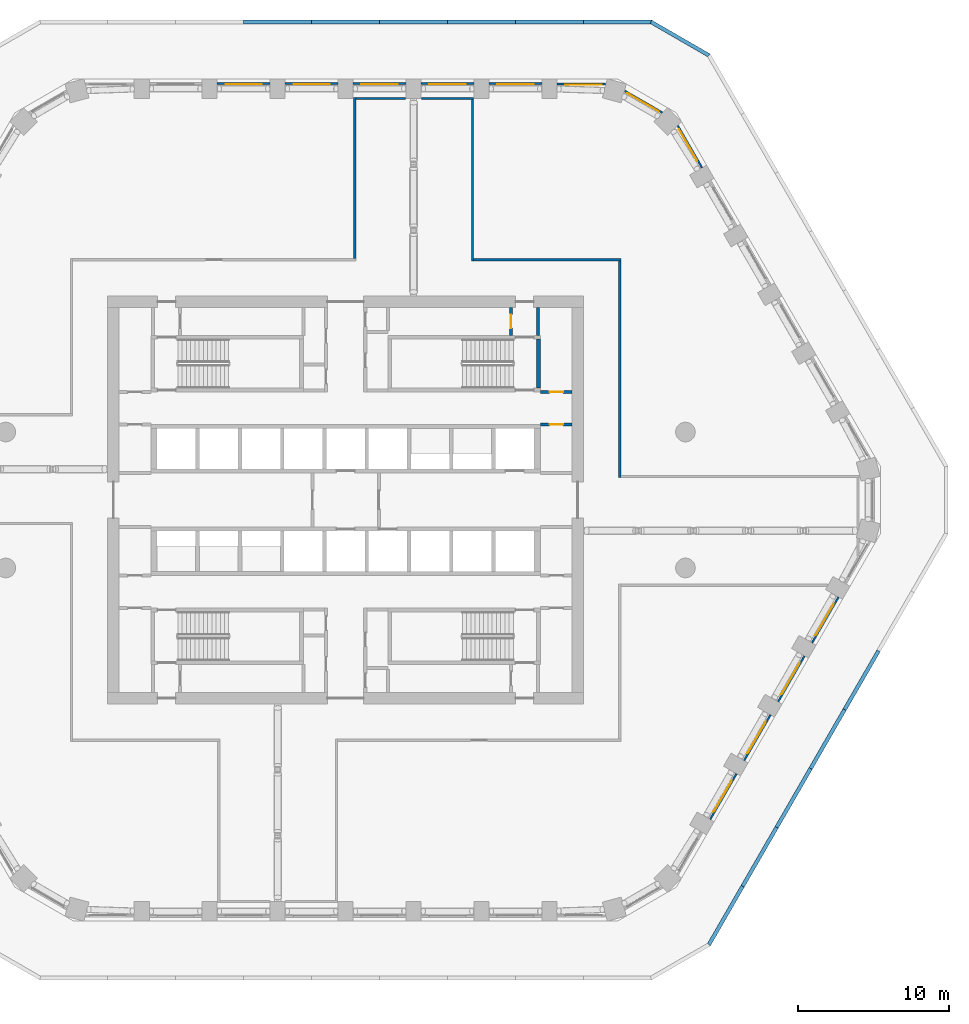
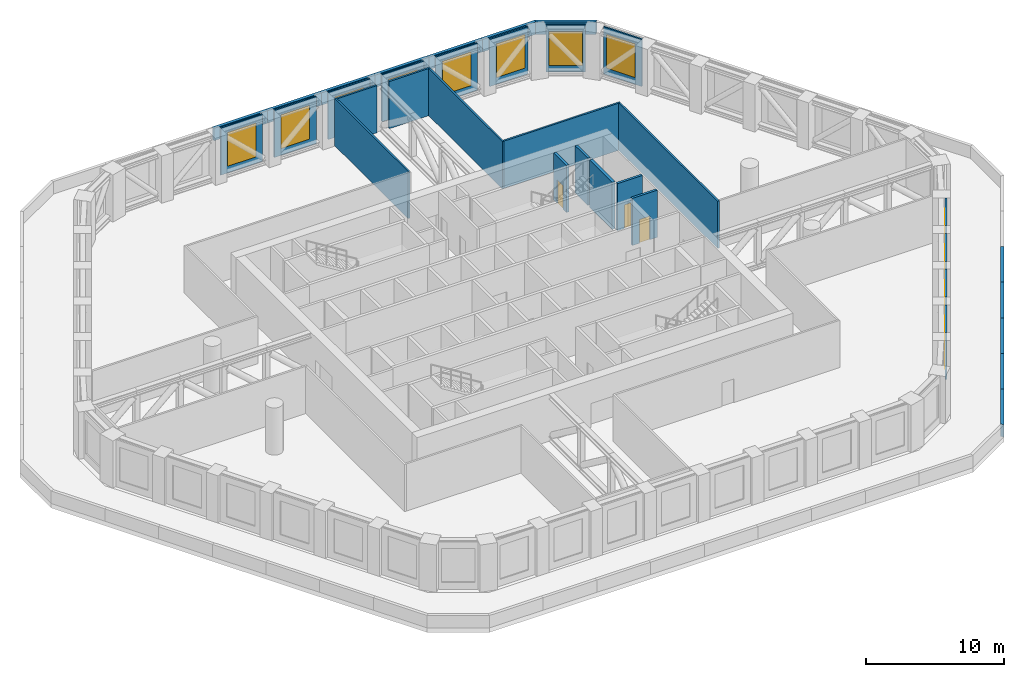
# One storey, part 10 of 18: 35 walls, 12 windows, 3 doors, 15 openings.
"""IFC4 building model written with IfcOpenShell, lengths in metres."""

from ifc_helpers import new_model, si_unit, direction, frame, frame_2d, origin, place, context, subcontext, project, spatial, polyline, rectangle, outline, extrude, material, layer, layer_set, type_object, element, fill, save


model = new_model("IFC4")

# Units and contexts
model_context = context("Model", 3, precision=1e-05, world=origin(), true_north=direction((0.0, 1.0)))
body_context = subcontext(model_context, "Body", "Model", "MODEL_VIEW")
ifc_project = project(units=[si_unit("LENGTHUNIT", "METRE"), si_unit("AREAUNIT", "SQUARE_METRE"), si_unit("VOLUMEUNIT", "CUBIC_METRE"), si_unit("PLANEANGLEUNIT", "RADIAN"), si_unit("MASSUNIT", "GRAM", prefix="KILO")], contexts=[model_context])

# Site, building, storey
site_placement = place(None, origin())
site = spatial("IfcSite", under=ifc_project, at=site_placement, CompositionType="ELEMENT")
building_placement = place(site_placement, origin())
building = spatial("IfcBuilding", under=site, at=building_placement, Name="Dhurran Vertical Campus", CompositionType="ELEMENT")
storey_placement = place(building_placement, frame((0.0, 0.0, 128.10009765625)))
storey = spatial("IfcBuildingStorey", under=building, at=storey_placement, Name="L31 Plant", CompositionType="ELEMENT", Elevation=128.10009765625)

# Wall, opening, window
ifc_material_1 = material(Name="Precast concrete C50/60", Category="concrete")
ifc_layer_1 = layer(ifc_material_1, 0.1201171875)
ifc_layer_set_1 = layer_set([ifc_layer_1], Name="Precast concrete C50/60")
wall_type_1 = type_object("IfcWallType", Name="Precast louvre-bay panel 120", PredefinedType="SOLIDWALL", material=ifc_layer_set_1)
wall_1_placement = place(storey_placement, frame((24.13330078125, -21.149658203125, 0.0), z_axis=(0.0, 0.0, 1.0), x_axis=(0.499996256241, 0.866027565234, 0.0)))
wall_1 = element("IfcWall", 1, at=wall_1_placement, inside=storey, type_object=wall_type_1, Name="EW4 L31.10", PredefinedType="SOLIDWALL", context=body_context, shape_type="SweptSolid", body=[
    extrude(rectangle(XDim=3.4990234375, YDim=0.1201171875, at=frame_2d((1.74951171875, 0.0))), origin(), (0.0, 0.0, 1.0), 4.1748046875),
])
opening_1_placement = place(wall_1_placement, frame((0.549560546875, 0.0, 0.60009765625)))
opening_1 = element("IfcOpeningElement", 2, at=opening_1_placement, cuts=wall_1, Name="Opening WT4", PredefinedType="OPENING", context=body_context, shape_type="SweptSolid", body=[
    extrude(rectangle(XDim=2.39990234375, YDim=3.0, at=frame_2d((1.199951171875, 1.5))), frame((0.0, 0.070068359375, 0.0), z_axis=(0.0, -1.0, 0.0), x_axis=(1.0, 0.0, 0.0)), (0.0, 0.0, 1.0), 0.14013671875),
])
ifc_material_2 = material(Name="Aluminium louvre", Category="aluminium")
window_type = type_object("IfcWindowType", Name="Louvred plant vent 2400 x 3000", PartitioningType="SINGLE_PANEL", PredefinedType="WINDOW", material=ifc_material_2)
window_1_placement = place(opening_1_placement, origin())
window_1 = element("IfcWindow", 3, at=window_1_placement, inside=storey, type_object=window_type, Name="WT4 L31.10", OverallHeight=3.0, OverallWidth=2.39990234375, PartitioningType="SINGLE_PANEL", PredefinedType="WINDOW", context=body_context, shape_type="SweptSolid", body=[
    extrude(rectangle(XDim=2.39990234375, YDim=3.0, at=frame_2d((1.199951171875, 1.5))), frame((0.0, 0.06005859375, 0.0), z_axis=(0.0, -1.0, 0.0), x_axis=(1.0, 0.0, 0.0)), (0.0, 0.0, 1.0), 0.02001953125),
])
fill(opening_1, window_1)

wall_2_placement = place(storey_placement, frame((26.38330078125, -17.252685546875, 0.0), z_axis=(0.0, 0.0, 1.0), x_axis=(0.499996256241, 0.866027565234, 0.0)))
wall_2 = element("IfcWall", 4, at=wall_2_placement, inside=storey, type_object=wall_type_1, Name="EW4 L31.11", PredefinedType="SOLIDWALL", context=body_context, shape_type="SweptSolid", body=[
    extrude(rectangle(XDim=3.4990234375, YDim=0.1201171875, at=frame_2d((1.74951171875, 0.0))), origin(), (0.0, 0.0, 1.0), 4.1748046875),
])
opening_2_placement = place(wall_2_placement, frame((0.549560546875, 0.0, 0.60009765625)))
opening_2 = element("IfcOpeningElement", 5, at=opening_2_placement, cuts=wall_2, Name="Opening WT4", PredefinedType="OPENING", context=body_context, shape_type="SweptSolid", body=[
    extrude(rectangle(XDim=2.39990234375, YDim=3.0, at=frame_2d((1.199951171875, 1.5))), frame((0.0, 0.070068359375, 0.0), z_axis=(0.0, -1.0, 0.0), x_axis=(1.0, 0.0, 0.0)), (0.0, 0.0, 1.0), 0.14013671875),
])
window_2_placement = place(opening_2_placement, origin())
window_2 = element("IfcWindow", 6, at=window_2_placement, inside=storey, type_object=window_type, Name="WT4 L31.11", OverallHeight=3.0, OverallWidth=2.39990234375, PartitioningType="SINGLE_PANEL", PredefinedType="WINDOW", context=body_context, shape_type="SweptSolid", body=[
    extrude(rectangle(XDim=2.39990234375, YDim=3.0, at=frame_2d((1.199951171875, 1.5))), frame((0.0, 0.06005859375, 0.0), z_axis=(0.0, -1.0, 0.0), x_axis=(1.0, 0.0, 0.0)), (0.0, 0.0, 1.0), 0.02001953125),
])
fill(opening_2, window_2)

wall_3_placement = place(storey_placement, frame((28.63330078125, -13.35546875, 0.0), z_axis=(0.0, 0.0, 1.0), x_axis=(0.499996256241, 0.866027565234, 0.0)))
wall_3 = element("IfcWall", 7, at=wall_3_placement, inside=storey, type_object=wall_type_1, Name="EW4 L31.12", PredefinedType="SOLIDWALL", context=body_context, shape_type="SweptSolid", body=[
    extrude(rectangle(XDim=3.4990234375, YDim=0.1201171875, at=frame_2d((1.74951171875, 0.0))), origin(), (0.0, 0.0, 1.0), 4.1748046875),
])
opening_3_placement = place(wall_3_placement, frame((0.549560546875, 0.0, 0.60009765625)))
opening_3 = element("IfcOpeningElement", 8, at=opening_3_placement, cuts=wall_3, Name="Opening WT4", PredefinedType="OPENING", context=body_context, shape_type="SweptSolid", body=[
    extrude(rectangle(XDim=2.39990234375, YDim=3.0, at=frame_2d((1.199951171875, 1.5))), frame((0.0, 0.070068359375, 0.0), z_axis=(0.0, -1.0, 0.0), x_axis=(1.0, 0.0, 0.0)), (0.0, 0.0, 1.0), 0.14013671875),
])
window_3_placement = place(opening_3_placement, origin())
window_3 = element("IfcWindow", 9, at=window_3_placement, inside=storey, type_object=window_type, Name="WT4 L31.12", OverallHeight=3.0, OverallWidth=2.39990234375, PartitioningType="SINGLE_PANEL", PredefinedType="WINDOW", context=body_context, shape_type="SweptSolid", body=[
    extrude(rectangle(XDim=2.39990234375, YDim=3.0, at=frame_2d((1.199951171875, 1.5))), frame((0.0, 0.06005859375, 0.0), z_axis=(0.0, -1.0, 0.0), x_axis=(1.0, 0.0, 0.0)), (0.0, 0.0, 1.0), 0.02001953125),
])
fill(opening_3, window_3)

wall_4_placement = place(storey_placement, frame((30.88330078125, -9.45849609375, 0.0), z_axis=(0.0, 0.0, 1.0), x_axis=(0.499996256241, 0.866027565234, 0.0)))
wall_4 = element("IfcWall", 10, at=wall_4_placement, inside=storey, type_object=wall_type_1, Name="EW4 L31.13", PredefinedType="SOLIDWALL", context=body_context, shape_type="SweptSolid", body=[
    extrude(rectangle(XDim=3.4990234375, YDim=0.1201171875, at=frame_2d((1.74951171875, 0.0))), origin(), (0.0, 0.0, 1.0), 4.1748046875),
])
opening_4_placement = place(wall_4_placement, frame((0.549560546875, 0.0, 0.60009765625)))
opening_4 = element("IfcOpeningElement", 11, at=opening_4_placement, cuts=wall_4, Name="Opening WT4", PredefinedType="OPENING", context=body_context, shape_type="SweptSolid", body=[
    extrude(rectangle(XDim=2.39990234375, YDim=3.0, at=frame_2d((1.199951171875, 1.5))), frame((0.0, 0.070068359375, 0.0), z_axis=(0.0, -1.0, 0.0), x_axis=(1.0, 0.0, 0.0)), (0.0, 0.0, 1.0), 0.14013671875),
])
window_4_placement = place(opening_4_placement, origin())
window_4 = element("IfcWindow", 12, at=window_4_placement, inside=storey, type_object=window_type, Name="WT4 L31.13", OverallHeight=3.0, OverallWidth=2.39990234375, PartitioningType="SINGLE_PANEL", PredefinedType="WINDOW", context=body_context, shape_type="SweptSolid", body=[
    extrude(rectangle(XDim=2.39990234375, YDim=3.0, at=frame_2d((1.199951171875, 1.5))), frame((0.0, 0.06005859375, 0.0), z_axis=(0.0, -1.0, 0.0), x_axis=(1.0, 0.0, 0.0)), (0.0, 0.0, 1.0), 0.02001953125),
])
fill(opening_4, window_4)

wall_5_placement = place(storey_placement, frame((23.59912109375, 21.9970703125, 0.0), z_axis=(0.0, 0.0, 1.0), x_axis=(-0.500031105231, 0.866007444426, 0.0)))
wall_5 = element("IfcWall", 13, at=wall_5_placement, inside=storey, type_object=wall_type_1, Name="EW4 L31.21", PredefinedType="SOLIDWALL", context=body_context, shape_type="SweptSolid", body=[
    extrude(rectangle(XDim=3.218017578125, YDim=0.1201171875, at=frame_2d((1.60888671875, 0.0))), origin(), (0.0, 0.0, 1.0), 4.1748046875),
])
opening_5_placement = place(wall_5_placement, frame((0.549560546875, 0.0, 0.60009765625)))
opening_5 = element("IfcOpeningElement", 14, at=opening_5_placement, cuts=wall_5, Name="Opening WT4", PredefinedType="OPENING", context=body_context, shape_type="SweptSolid", body=[
    extrude(rectangle(XDim=2.39990234375, YDim=3.0, at=frame_2d((1.199951171875, 1.5))), frame((0.0, 0.070068359375, 0.0), z_axis=(0.0, -1.0, 0.0), x_axis=(1.0, 0.0, 0.0)), (0.0, 0.0, 1.0), 0.14013671875),
])
window_5_placement = place(opening_5_placement, origin())
window_5 = element("IfcWindow", 15, at=window_5_placement, inside=storey, type_object=window_type, Name="WT4 L31.21", OverallHeight=3.0, OverallWidth=2.39990234375, PartitioningType="SINGLE_PANEL", PredefinedType="WINDOW", context=body_context, shape_type="SweptSolid", body=[
    extrude(rectangle(XDim=2.39990234375, YDim=3.0, at=frame_2d((1.199951171875, 1.5))), frame((0.0, 0.06005859375, 0.0), z_axis=(0.0, -1.0, 0.0), x_axis=(1.0, 0.0, 0.0)), (0.0, 0.0, 1.0), 0.02001953125),
])
fill(opening_5, window_5)

wall_6_placement = place(storey_placement, frame((20.97021484375, 25.647216796875, 0.0), z_axis=(0.0, 0.0, 1.0), x_axis=(-0.866033125095, 0.499986626058, 0.0)))
wall_6 = element("IfcWall", 16, at=wall_6_placement, inside=storey, type_object=wall_type_1, Name="EW4 L31.22", PredefinedType="SOLIDWALL", context=body_context, shape_type="SweptSolid", body=[
    extrude(rectangle(XDim=2.8798828125, YDim=0.1201171875, at=frame_2d((1.43994140625, 0.0))), origin(), (0.0, 0.0, 1.0), 4.1748046875),
])
opening_6_placement = place(wall_6_placement, frame((0.239990234375, 0.0, 0.60009765625)))
opening_6 = element("IfcOpeningElement", 17, at=opening_6_placement, cuts=wall_6, Name="Opening WT4", PredefinedType="OPENING", context=body_context, shape_type="SweptSolid", body=[
    extrude(rectangle(XDim=2.39990234375, YDim=3.0, at=frame_2d((1.199951171875, 1.5))), frame((0.0, 0.070068359375, 0.0), z_axis=(0.0, -1.0, 0.0), x_axis=(1.0, 0.0, 0.0)), (0.0, 0.0, 1.0), 0.14013671875),
])
window_6_placement = place(opening_6_placement, origin())
window_6 = element("IfcWindow", 18, at=window_6_placement, inside=storey, type_object=window_type, Name="WT4 L31.22", OverallHeight=3.0, OverallWidth=2.39990234375, PartitioningType="SINGLE_PANEL", PredefinedType="WINDOW", context=body_context, shape_type="SweptSolid", body=[
    extrude(rectangle(XDim=2.39990234375, YDim=3.0, at=frame_2d((1.199951171875, 1.5))), frame((0.0, 0.06005859375, 0.0), z_axis=(0.0, -1.0, 0.0), x_axis=(1.0, 0.0, 0.0)), (0.0, 0.0, 1.0), 0.02001953125),
])
fill(opening_6, window_6)

wall_7_placement = place(storey_placement, frame((17.218505859375, 27.538818359375, 0.0), z_axis=(0.0, 0.0, 1.0), x_axis=(-1.0, 0.0, 0.0)))
wall_7 = element("IfcWall", 19, at=wall_7_placement, inside=storey, type_object=wall_type_1, Name="EW4 L31.23", PredefinedType="SOLIDWALL", context=body_context, shape_type="SweptSolid", body=[
    extrude(rectangle(XDim=3.218017578125, YDim=0.1201171875, at=frame_2d((1.60888671875, 0.0))), origin(), (0.0, 0.0, 1.0), 4.1748046875),
])
opening_7_placement = place(wall_7_placement, frame((0.2685546875, 0.0, 0.60009765625)))
opening_7 = element("IfcOpeningElement", 20, at=opening_7_placement, cuts=wall_7, Name="Opening WT4", PredefinedType="OPENING", context=body_context, shape_type="SweptSolid", body=[
    extrude(rectangle(XDim=2.39990234375, YDim=3.0, at=frame_2d((1.199951171875, 1.5))), frame((0.0, 0.070068359375, 0.0), z_axis=(0.0, -1.0, 0.0), x_axis=(1.0, 0.0, 0.0)), (0.0, 0.0, 1.0), 0.14013671875),
])
window_7_placement = place(opening_7_placement, origin())
window_7 = element("IfcWindow", 21, at=window_7_placement, inside=storey, type_object=window_type, Name="WT4 L31.23", OverallHeight=3.0, OverallWidth=2.39990234375, PartitioningType="SINGLE_PANEL", PredefinedType="WINDOW", context=body_context, shape_type="SweptSolid", body=[
    extrude(rectangle(XDim=2.39990234375, YDim=3.0, at=frame_2d((1.199951171875, 1.5))), frame((0.0, 0.06005859375, 0.0), z_axis=(0.0, -1.0, 0.0), x_axis=(1.0, 0.0, 0.0)), (0.0, 0.0, 1.0), 0.02001953125),
])
fill(opening_7, window_7)

wall_8_placement = place(storey_placement, frame((12.99951171875, 27.577880859375, 0.0), z_axis=(0.0, 0.0, 1.0), x_axis=(-1.0, 0.0, 0.0)))
wall_8 = element("IfcWall", 22, at=wall_8_placement, inside=storey, type_object=wall_type_1, Name="EW4 L31.24", PredefinedType="SOLIDWALL", context=body_context, shape_type="SweptSolid", body=[
    extrude(rectangle(XDim=3.4990234375, YDim=0.1201171875, at=frame_2d((1.74951171875, 0.0))), origin(), (0.0, 0.0, 1.0), 4.1748046875),
])
opening_8_placement = place(wall_8_placement, frame((0.549560546875, 0.0, 0.60009765625)))
opening_8 = element("IfcOpeningElement", 23, at=opening_8_placement, cuts=wall_8, Name="Opening WT4", PredefinedType="OPENING", context=body_context, shape_type="SweptSolid", body=[
    extrude(rectangle(XDim=2.39990234375, YDim=3.0, at=frame_2d((1.199951171875, 1.5))), frame((0.0, 0.070068359375, 0.0), z_axis=(0.0, -1.0, 0.0), x_axis=(1.0, 0.0, 0.0)), (0.0, 0.0, 1.0), 0.14013671875),
])
window_8_placement = place(opening_8_placement, origin())
window_8 = element("IfcWindow", 24, at=window_8_placement, inside=storey, type_object=window_type, Name="WT4 L31.24", OverallHeight=3.0, OverallWidth=2.39990234375, PartitioningType="SINGLE_PANEL", PredefinedType="WINDOW", context=body_context, shape_type="SweptSolid", body=[
    extrude(rectangle(XDim=2.39990234375, YDim=3.0, at=frame_2d((1.199951171875, 1.5))), frame((0.0, 0.06005859375, 0.0), z_axis=(0.0, -1.0, 0.0), x_axis=(1.0, 0.0, 0.0)), (0.0, 0.0, 1.0), 0.02001953125),
])
fill(opening_8, window_8)

wall_9_placement = place(storey_placement, frame((8.49951171875, 27.577880859375, 0.0), z_axis=(0.0, 0.0, 1.0), x_axis=(-1.0, 0.0, 0.0)))
wall_9 = element("IfcWall", 25, at=wall_9_placement, inside=storey, type_object=wall_type_1, Name="EW4 L31.25", PredefinedType="SOLIDWALL", context=body_context, shape_type="SweptSolid", body=[
    extrude(rectangle(XDim=3.4990234375, YDim=0.1201171875, at=frame_2d((1.74951171875, 0.0))), origin(), (0.0, 0.0, 1.0), 4.1748046875),
])
opening_9_placement = place(wall_9_placement, frame((0.549560546875, 0.0, 0.60009765625)))
opening_9 = element("IfcOpeningElement", 26, at=opening_9_placement, cuts=wall_9, Name="Opening WT4", PredefinedType="OPENING", context=body_context, shape_type="SweptSolid", body=[
    extrude(rectangle(XDim=2.39990234375, YDim=3.0, at=frame_2d((1.199951171875, 1.5))), frame((0.0, 0.070068359375, 0.0), z_axis=(0.0, -1.0, 0.0), x_axis=(1.0, 0.0, 0.0)), (0.0, 0.0, 1.0), 0.14013671875),
])
window_9_placement = place(opening_9_placement, origin())
window_9 = element("IfcWindow", 27, at=window_9_placement, inside=storey, type_object=window_type, Name="WT4 L31.25", OverallHeight=3.0, OverallWidth=2.39990234375, PartitioningType="SINGLE_PANEL", PredefinedType="WINDOW", context=body_context, shape_type="SweptSolid", body=[
    extrude(rectangle(XDim=2.39990234375, YDim=3.0, at=frame_2d((1.199951171875, 1.5))), frame((0.0, 0.06005859375, 0.0), z_axis=(0.0, -1.0, 0.0), x_axis=(1.0, 0.0, 0.0)), (0.0, 0.0, 1.0), 0.02001953125),
])
fill(opening_9, window_9)

wall_10_placement = place(storey_placement, frame((3.99951171875, 27.577880859375, 0.0), z_axis=(0.0, 0.0, 1.0), x_axis=(-1.0, 0.0, 0.0)))
wall_10 = element("IfcWall", 28, at=wall_10_placement, inside=storey, type_object=wall_type_1, Name="EW4 L31.26", PredefinedType="SOLIDWALL", context=body_context, shape_type="SweptSolid", body=[
    extrude(rectangle(XDim=3.4990234375, YDim=0.1201171875, at=frame_2d((1.74951171875, 0.0))), origin(), (0.0, 0.0, 1.0), 4.1748046875),
])
opening_10_placement = place(wall_10_placement, frame((0.549560546875, 0.0, 0.60009765625)))
opening_10 = element("IfcOpeningElement", 29, at=opening_10_placement, cuts=wall_10, Name="Opening WT4", PredefinedType="OPENING", context=body_context, shape_type="SweptSolid", body=[
    extrude(rectangle(XDim=2.39990234375, YDim=3.0, at=frame_2d((1.199951171875, 1.5))), frame((0.0, 0.070068359375, 0.0), z_axis=(0.0, -1.0, 0.0), x_axis=(1.0, 0.0, 0.0)), (0.0, 0.0, 1.0), 0.14013671875),
])
window_10_placement = place(opening_10_placement, origin())
window_10 = element("IfcWindow", 30, at=window_10_placement, inside=storey, type_object=window_type, Name="WT4 L31.26", OverallHeight=3.0, OverallWidth=2.39990234375, PartitioningType="SINGLE_PANEL", PredefinedType="WINDOW", context=body_context, shape_type="SweptSolid", body=[
    extrude(rectangle(XDim=2.39990234375, YDim=3.0, at=frame_2d((1.199951171875, 1.5))), frame((0.0, 0.06005859375, 0.0), z_axis=(0.0, -1.0, 0.0), x_axis=(1.0, 0.0, 0.0)), (0.0, 0.0, 1.0), 0.02001953125),
])
fill(opening_10, window_10)

wall_11_placement = place(storey_placement, frame((-0.50048828125, 27.577880859375, 0.0), z_axis=(0.0, 0.0, 1.0), x_axis=(-1.0, 0.0, 0.0)))
wall_11 = element("IfcWall", 31, at=wall_11_placement, inside=storey, type_object=wall_type_1, Name="EW4 L31.27", PredefinedType="SOLIDWALL", context=body_context, shape_type="SweptSolid", body=[
    extrude(rectangle(XDim=3.4990234375, YDim=0.1201171875, at=frame_2d((1.74951171875, 0.0))), origin(), (0.0, 0.0, 1.0), 4.1748046875),
])
opening_11_placement = place(wall_11_placement, frame((0.549560546875, 0.0, 0.60009765625)))
opening_11 = element("IfcOpeningElement", 32, at=opening_11_placement, cuts=wall_11, Name="Opening WT4", PredefinedType="OPENING", context=body_context, shape_type="SweptSolid", body=[
    extrude(rectangle(XDim=2.39990234375, YDim=3.0, at=frame_2d((1.199951171875, 1.5))), frame((0.0, 0.070068359375, 0.0), z_axis=(0.0, -1.0, 0.0), x_axis=(1.0, 0.0, 0.0)), (0.0, 0.0, 1.0), 0.14013671875),
])
window_11_placement = place(opening_11_placement, origin())
window_11 = element("IfcWindow", 33, at=window_11_placement, inside=storey, type_object=window_type, Name="WT4 L31.27", OverallHeight=3.0, OverallWidth=2.39990234375, PartitioningType="SINGLE_PANEL", PredefinedType="WINDOW", context=body_context, shape_type="SweptSolid", body=[
    extrude(rectangle(XDim=2.39990234375, YDim=3.0, at=frame_2d((1.199951171875, 1.5))), frame((0.0, 0.06005859375, 0.0), z_axis=(0.0, -1.0, 0.0), x_axis=(1.0, 0.0, 0.0)), (0.0, 0.0, 1.0), 0.02001953125),
])
fill(opening_11, window_11)

wall_12_placement = place(storey_placement, frame((-5.00048828125, 27.577880859375, 0.0), z_axis=(0.0, 0.0, 1.0), x_axis=(-1.0, 0.0, 0.0)))
wall_12 = element("IfcWall", 34, at=wall_12_placement, inside=storey, type_object=wall_type_1, Name="EW4 L31.28", PredefinedType="SOLIDWALL", context=body_context, shape_type="SweptSolid", body=[
    extrude(rectangle(XDim=3.4990234375, YDim=0.1201171875, at=frame_2d((1.74951171875, 0.0))), origin(), (0.0, 0.0, 1.0), 4.1748046875),
])
opening_12_placement = place(wall_12_placement, frame((0.549560546875, 0.0, 0.60009765625)))
opening_12 = element("IfcOpeningElement", 35, at=opening_12_placement, cuts=wall_12, Name="Opening WT4", PredefinedType="OPENING", context=body_context, shape_type="SweptSolid", body=[
    extrude(rectangle(XDim=2.39990234375, YDim=3.0, at=frame_2d((1.199951171875, 1.5))), frame((0.0, 0.070068359375, 0.0), z_axis=(0.0, -1.0, 0.0), x_axis=(1.0, 0.0, 0.0)), (0.0, 0.0, 1.0), 0.14013671875),
])
window_12_placement = place(opening_12_placement, origin())
window_12 = element("IfcWindow", 36, at=window_12_placement, inside=storey, type_object=window_type, Name="WT4 L31.28", OverallHeight=3.0, OverallWidth=2.39990234375, PartitioningType="SINGLE_PANEL", PredefinedType="WINDOW", context=body_context, shape_type="SweptSolid", body=[
    extrude(rectangle(XDim=2.39990234375, YDim=3.0, at=frame_2d((1.199951171875, 1.5))), frame((0.0, 0.06005859375, 0.0), z_axis=(0.0, -1.0, 0.0), x_axis=(1.0, 0.0, 0.0)), (0.0, 0.0, 1.0), 0.02001953125),
])
fill(opening_12, window_12)

# Walls
ifc_material_3 = material(Name="Precast concrete C50/60", Category="concrete")
ifc_layer_2 = layer(ifc_material_3, 0.25)
ifc_layer_set_2 = layer_set([ifc_layer_2], Name="Precast concrete C50/60")
wall_type_2 = type_object("IfcWallType", Name="Precast parapet 250", PredefinedType="PARAPET", material=ifc_layer_set_2)
wall_13_placement = place(storey_placement, origin())
element("IfcWall", 37, at=wall_13_placement, inside=storey, type_object=wall_type_2, Name="PW1 L31.10", PredefinedType="PARAPET", context=body_context, shape_type="SweptSolid", body=[
    extrude(outline(polyline([(24.147216796875, -29.52978515625), (26.397216796875, -25.6328125), (26.1806640625, -25.5078125), (23.964111328125, -29.3466796875), (24.147216796875, -29.52978515625)])), origin(), (0.0, 0.0, 1.0), 1.099853515625),
])
wall_14_placement = place(storey_placement, origin())
element("IfcWall", 38, at=wall_14_placement, inside=storey, type_object=wall_type_2, Name="PW1 L31.11", PredefinedType="PARAPET", context=body_context, shape_type="SweptSolid", body=[
    extrude(outline(polyline([(26.397216796875, -25.6328125), (28.647216796875, -21.735595703125), (28.4306640625, -21.610595703125), (26.1806640625, -25.5078125), (26.397216796875, -25.6328125)])), origin(), (0.0, 0.0, 1.0), 1.099853515625),
])
wall_15_placement = place(storey_placement, origin())
element("IfcWall", 39, at=wall_15_placement, inside=storey, type_object=wall_type_2, Name="PW1 L31.12", PredefinedType="PARAPET", context=body_context, shape_type="SweptSolid", body=[
    extrude(outline(polyline([(28.647216796875, -21.735595703125), (30.897216796875, -17.83837890625), (30.6806640625, -17.71337890625), (28.4306640625, -21.610595703125), (28.647216796875, -21.735595703125)])), origin(), (0.0, 0.0, 1.0), 1.099853515625),
])
wall_16_placement = place(storey_placement, origin())
element("IfcWall", 40, at=wall_16_placement, inside=storey, type_object=wall_type_2, Name="PW1 L31.13", PredefinedType="PARAPET", context=body_context, shape_type="SweptSolid", body=[
    extrude(outline(polyline([(30.897216796875, -17.83837890625), (33.147216796875, -13.94140625), (32.9306640625, -13.81640625), (30.6806640625, -17.71337890625), (30.897216796875, -17.83837890625)])), origin(), (0.0, 0.0, 1.0), 1.099853515625),
])
wall_17_placement = place(storey_placement, origin())
element("IfcWall", 41, at=wall_17_placement, inside=storey, type_object=wall_type_2, Name="PW1 L31.14", PredefinedType="PARAPET", context=body_context, shape_type="SweptSolid", body=[
    extrude(outline(polyline([(33.147216796875, -13.94140625), (35.397216796875, -10.044189453125), (35.1806640625, -9.919189453125), (32.9306640625, -13.81640625), (33.147216796875, -13.94140625)])), origin(), (0.0, 0.0, 1.0), 1.099853515625),
])
wall_18_placement = place(storey_placement, origin())
element("IfcWall", 42, at=wall_18_placement, inside=storey, type_object=wall_type_2, Name="PW1 L31.25", PredefinedType="PARAPET", context=body_context, shape_type="SweptSolid", body=[
    extrude(outline(polyline([(24.147216796875, 29.52978515625), (20.25, 31.77978515625), (20.18310546875, 31.52978515625), (23.964111328125, 29.3466796875), (24.147216796875, 29.52978515625)])), origin(), (0.0, 0.0, 1.0), 1.099853515625),
])
wall_19_placement = place(storey_placement, origin())
element("IfcWall", 43, at=wall_19_placement, inside=storey, type_object=wall_type_2, Name="PW1 L31.26", PredefinedType="PARAPET", context=body_context, shape_type="SweptSolid", body=[
    extrude(outline(polyline([(20.25, 31.77978515625), (15.75, 31.77978515625), (15.75, 31.52978515625), (20.18310546875, 31.52978515625), (20.25, 31.77978515625)])), origin(), (0.0, 0.0, 1.0), 1.099853515625),
])
wall_20_placement = place(storey_placement, origin())
element("IfcWall", 44, at=wall_20_placement, inside=storey, type_object=wall_type_2, Name="PW1 L31.27", PredefinedType="PARAPET", context=body_context, shape_type="SweptSolid", body=[
    extrude(outline(polyline([(15.75, 31.77978515625), (11.25, 31.77978515625), (11.25, 31.52978515625), (15.75, 31.52978515625), (15.75, 31.77978515625)])), origin(), (0.0, 0.0, 1.0), 1.099853515625),
])
wall_21_placement = place(storey_placement, origin())
element("IfcWall", 45, at=wall_21_placement, inside=storey, type_object=wall_type_2, Name="PW1 L31.28", PredefinedType="PARAPET", context=body_context, shape_type="SweptSolid", body=[
    extrude(outline(polyline([(11.25, 31.77978515625), (6.75, 31.77978515625), (6.75, 31.52978515625), (11.25, 31.52978515625), (11.25, 31.77978515625)])), origin(), (0.0, 0.0, 1.0), 1.099853515625),
])
wall_22_placement = place(storey_placement, origin())
element("IfcWall", 46, at=wall_22_placement, inside=storey, type_object=wall_type_2, Name="PW1 L31.29", PredefinedType="PARAPET", context=body_context, shape_type="SweptSolid", body=[
    extrude(outline(polyline([(6.75, 31.77978515625), (2.25, 31.77978515625), (2.25, 31.52978515625), (6.75, 31.52978515625), (6.75, 31.77978515625)])), origin(), (0.0, 0.0, 1.0), 1.099853515625),
])
wall_23_placement = place(storey_placement, origin())
element("IfcWall", 47, at=wall_23_placement, inside=storey, type_object=wall_type_2, Name="PW1 L31.30", PredefinedType="PARAPET", context=body_context, shape_type="SweptSolid", body=[
    extrude(outline(polyline([(2.25, 31.77978515625), (-2.25, 31.77978515625), (-2.25, 31.52978515625), (2.25, 31.52978515625), (2.25, 31.77978515625)])), origin(), (0.0, 0.0, 1.0), 1.099853515625),
])
wall_24_placement = place(storey_placement, origin())
element("IfcWall", 48, at=wall_24_placement, inside=storey, type_object=wall_type_2, Name="PW1 L31.31", PredefinedType="PARAPET", context=body_context, shape_type="SweptSolid", body=[
    extrude(outline(polyline([(-2.25, 31.77978515625), (-6.75, 31.77978515625), (-6.75, 31.52978515625), (-2.25, 31.52978515625), (-2.25, 31.77978515625)])), origin(), (0.0, 0.0, 1.0), 1.099853515625),
])
ifc_material_4 = material(Name="Fire-rated masonry blockwork", Category="masonry")
ifc_layer_3 = layer(ifc_material_4, 0.199951171875)
ifc_layer_set_3 = layer_set([ifc_layer_3], Name="Fire-rated masonry blockwork")
wall_type_3 = type_object("IfcWallType", Name="co-FIRE-PARTITION-200", PredefinedType="PARTITIONING", material=ifc_layer_set_3)
wall_25_placement = place(storey_placement, frame((12.75, 10.89990234375, 0.0), z_axis=(0.0, 0.0, 1.0), x_axis=(0.0, 1.0, 0.0)))
element("IfcWall", 49, at=wall_25_placement, inside=storey, type_object=wall_type_3, Name="Core partition pass-ST2-o L31", PredefinedType="PARTITIONING", context=body_context, shape_type="SweptSolid", body=[
    extrude(rectangle(XDim=1.85009765625, YDim=0.199951171875, at=frame_2d((0.925048828125, 0.0))), origin(), (0.0, 0.0, 1.0), 4.1748046875),
])

# Wall, opening, door
wall_26_placement = place(storey_placement, frame((10.949951171875, 10.89990234375, 0.0), z_axis=(0.0, 0.0, 1.0), x_axis=(0.0, 1.0, 0.0)))
wall_26 = element("IfcWall", 50, at=wall_26_placement, inside=storey, type_object=wall_type_3, Name="Core partition pass-ST2-i L31", PredefinedType="PARTITIONING", context=body_context, shape_type="SweptSolid", body=[
    extrude(rectangle(XDim=1.85009765625, YDim=0.199951171875, at=frame_2d((0.925048828125, 0.0))), origin(), (0.0, 0.0, 1.0), 4.1748046875),
])
opening_13_placement = place(wall_26_placement, frame((0.47509765625, 0.0, 0.0)))
opening_13 = element("IfcOpeningElement", 51, at=opening_13_placement, cuts=wall_26, Name="Opening BR31-C10", PredefinedType="OPENING", context=body_context, shape_type="SweptSolid", body=[
    extrude(rectangle(XDim=0.89990234375, YDim=2.10009765625, at=frame_2d((0.449951171875, 1.050048828125))), frame((0.0, 0.10986328125, 0.0), z_axis=(0.0, -1.0, 0.0), x_axis=(1.0, 0.0, 0.0)), (0.0, 0.0, 1.0), 0.219970703125),
])
ifc_material_5 = material(Name="Fire-rated timber door set", Category="wood")
door_type = type_object("IfcDoorType", Name="co-D-ROOM 900x2100", OperationType="SINGLE_SWING_LEFT", PredefinedType="DOOR", material=ifc_material_5)
door_1_placement = place(opening_13_placement, origin())
door_1 = element("IfcDoor", 52, at=door_1_placement, inside=storey, type_object=door_type, Name="Riser room door L31", OperationType="SINGLE_SWING_LEFT", OverallHeight=2.10009765625, OverallWidth=0.89990234375, PredefinedType="DOOR", context=body_context, shape_type="SweptSolid", body=[
    extrude(rectangle(XDim=0.89990234375, YDim=2.10009765625, at=frame_2d((0.449951171875, 1.050048828125))), frame((0.0, 0.02490234375, 0.0), z_axis=(0.0, -1.0, 0.0), x_axis=(1.0, 0.0, 0.0)), (0.0, 0.0, 1.0), 0.050048828125),
])
fill(opening_13, door_1)

wall_27_placement = place(storey_placement, frame((12.89990234375, 7.14990234375, 0.0), z_axis=(0.0, 0.0, 1.0), x_axis=(1.0, 0.0, 0.0)))
wall_27 = element("IfcWall", 53, at=wall_27_placement, inside=storey, type_object=wall_type_3, Name="Core partition en-NE-w L31", PredefinedType="PARTITIONING", context=body_context, shape_type="SweptSolid", body=[
    extrude(rectangle(XDim=2.10009765625, YDim=0.199951171875, at=frame_2d((1.050048828125, 0.0))), origin(), (0.0, 0.0, 1.0), 4.1748046875),
])
opening_14_placement = place(wall_27_placement, frame((0.60009765625, 0.0, 0.0)))
opening_14 = element("IfcOpeningElement", 54, at=opening_14_placement, cuts=wall_27, Name="Opening BR31-C15", PredefinedType="OPENING", context=body_context, shape_type="SweptSolid", body=[
    extrude(rectangle(XDim=0.89990234375, YDim=2.10009765625, at=frame_2d((0.449951171875, 1.050048828125))), frame((0.0, 0.10986328125, 0.0), z_axis=(0.0, -1.0, 0.0), x_axis=(1.0, 0.0, 0.0)), (0.0, 0.0, 1.0), 0.219970703125),
])
door_2_placement = place(opening_14_placement, origin())
door_2 = element("IfcDoor", 55, at=door_2_placement, inside=storey, type_object=door_type, Name="Refuge area door L31", OperationType="SINGLE_SWING_LEFT", OverallHeight=2.10009765625, OverallWidth=0.89990234375, PredefinedType="DOOR", context=body_context, shape_type="SweptSolid", body=[
    extrude(rectangle(XDim=0.89990234375, YDim=2.10009765625, at=frame_2d((0.449951171875, 1.050048828125))), frame((0.0, 0.02490234375, 0.0), z_axis=(0.0, -1.0, 0.0), x_axis=(1.0, 0.0, 0.0)), (0.0, 0.0, 1.0), 0.050048828125),
])
fill(opening_14, door_2)

wall_28_placement = place(storey_placement, frame((12.89990234375, 5.0, 0.0), z_axis=(0.0, 0.0, 1.0), x_axis=(1.0, 0.0, 0.0)))
wall_28 = element("IfcWall", 56, at=wall_28_placement, inside=storey, type_object=wall_type_3, Name="Core partition es-NE-w L31", PredefinedType="PARTITIONING", context=body_context, shape_type="SweptSolid", body=[
    extrude(rectangle(XDim=2.10009765625, YDim=0.199951171875, at=frame_2d((1.050048828125, 0.0))), origin(), (0.0, 0.0, 1.0), 4.1748046875),
])
opening_15_placement = place(wall_28_placement, frame((0.60009765625, 0.0, 0.0)))
opening_15 = element("IfcOpeningElement", 57, at=opening_15_placement, cuts=wall_28, Name="Opening BR31-C16", PredefinedType="OPENING", context=body_context, shape_type="SweptSolid", body=[
    extrude(rectangle(XDim=0.89990234375, YDim=2.10009765625, at=frame_2d((0.449951171875, 1.050048828125))), frame((0.0, 0.10986328125, 0.0), z_axis=(0.0, -1.0, 0.0), x_axis=(1.0, 0.0, 0.0)), (0.0, 0.0, 1.0), 0.219970703125),
])
door_3_placement = place(opening_15_placement, origin())
door_3 = element("IfcDoor", 58, at=door_3_placement, inside=storey, type_object=door_type, Name="Generator room door L31", OperationType="SINGLE_SWING_LEFT", OverallHeight=2.10009765625, OverallWidth=0.89990234375, PredefinedType="DOOR", context=body_context, shape_type="SweptSolid", body=[
    extrude(rectangle(XDim=0.89990234375, YDim=2.10009765625, at=frame_2d((0.449951171875, 1.050048828125))), frame((0.0, 0.02490234375, 0.0), z_axis=(0.0, -1.0, 0.0), x_axis=(1.0, 0.0, 0.0)), (0.0, 0.0, 1.0), 0.050048828125),
])
fill(opening_15, door_3)

# Walls
ifc_material_6 = material(Name="Concrete C40/50", Category="concrete")
ifc_layer_4 = layer(ifc_material_6, 0.25)
ifc_layer_set_4 = layer_set([ifc_layer_4], Name="Concrete C40/50")
wall_type_4 = type_object("IfcWallType", Name="co-STAIR-WALL-250", PredefinedType="SHEAR", material=ifc_layer_set_4)
wall_29_placement = place(storey_placement, frame((12.77490234375, 7.39990234375, 0.0), z_axis=(0.0, 0.0, 1.0), x_axis=(0.0, 1.0, 0.0)))
element("IfcWall", 59, at=wall_29_placement, inside=storey, type_object=wall_type_4, Name="Stair ST2 enclosure wall L31", PredefinedType="SHEAR", context=body_context, shape_type="SweptSolid", body=[
    extrude(rectangle(XDim=3.25, YDim=0.25, at=frame_2d((1.625, 0.0))), origin(), (0.0, 0.0, 1.0), 4.1748046875),
])
ifc_material_7 = material(Name="Gypsum board corridor wall on steel studs", Category="steel")
ifc_layer_5 = layer(ifc_material_7, 0.14990234375)
ifc_layer_set_5 = layer_set([ifc_layer_5], Name="Gypsum board corridor wall on steel studs")
wall_type_5 = type_object("IfcWallType", Name="fl-CW-150 corridor wall", PredefinedType="PARTITIONING", material=ifc_layer_set_5)
wall_30_placement = place(storey_placement, frame((0.60009765625, 15.97509765625, 0.0), z_axis=(0.0, 0.0, 1.0), x_axis=(0.0, 1.0, 0.0)))
element("IfcWall", 60, at=wall_30_placement, inside=storey, type_object=wall_type_5, Name="Partition 31-14", PredefinedType="PARTITIONING", context=body_context, shape_type="SweptSolid", body=[
    extrude(rectangle(XDim=10.682861328125, YDim=0.14990234375, at=frame_2d((5.34130859375, 0.0))), origin(), (0.0, 0.0, 1.0), 4.1748046875),
])
wall_31_placement = place(storey_placement, frame((0.675048828125, 26.5830078125, 0.0), z_axis=(0.0, 0.0, 1.0), x_axis=(1.0, 0.0, 0.0)))
element("IfcWall", 61, at=wall_31_placement, inside=storey, type_object=wall_type_5, Name="Partition 31-15", PredefinedType="PARTITIONING", context=body_context, shape_type="SweptSolid", body=[
    extrude(rectangle(XDim=3.304931640625, YDim=0.14990234375, at=frame_2d((1.65234375, 0.0))), origin(), (0.0, 0.0, 1.0), 4.1748046875),
])
wall_32_placement = place(storey_placement, frame((5.02001953125, 26.5830078125, 0.0), z_axis=(0.0, 0.0, 1.0), x_axis=(1.0, 0.0, 0.0)))
element("IfcWall", 62, at=wall_32_placement, inside=storey, type_object=wall_type_5, Name="Partition 31-16", PredefinedType="PARTITIONING", context=body_context, shape_type="SweptSolid", body=[
    extrude(rectangle(XDim=3.455078125, YDim=0.14990234375, at=frame_2d((1.7275390625, 0.0))), origin(), (0.0, 0.0, 1.0), 4.1748046875),
])
wall_33_placement = place(storey_placement, frame((8.39990234375, 26.508056640625, 0.0), z_axis=(0.0, 0.0, 1.0), x_axis=(0.0, -1.0, 0.0)))
element("IfcWall", 63, at=wall_33_placement, inside=storey, type_object=wall_type_5, Name="Partition 31-17", PredefinedType="PARTITIONING", context=body_context, shape_type="SweptSolid", body=[
    extrude(rectangle(XDim=10.68310546875, YDim=0.14990234375, at=frame_2d((5.341552734375, 0.0))), origin(), (0.0, 0.0, 1.0), 4.1748046875),
])
wall_34_placement = place(storey_placement, frame((18.22509765625, 15.89990234375, 0.0), z_axis=(0.0, 0.0, 1.0), x_axis=(-1.0, 0.0, 0.0)))
element("IfcWall", 64, at=wall_34_placement, inside=storey, type_object=wall_type_5, Name="Partition 31-18", PredefinedType="PARTITIONING", context=body_context, shape_type="SweptSolid", body=[
    extrude(rectangle(XDim=9.75, YDim=0.14990234375, at=frame_2d((4.875, 0.0))), origin(), (0.0, 0.0, 1.0), 4.1748046875),
])
wall_35_placement = place(storey_placement, frame((18.14990234375, 1.488037109375, 0.0), z_axis=(0.0, 0.0, 1.0), x_axis=(0.0, 1.0, 0.0)))
element("IfcWall", 65, at=wall_35_placement, inside=storey, type_object=wall_type_5, Name="Partition 31-21", PredefinedType="PARTITIONING", context=body_context, shape_type="SweptSolid", body=[
    extrude(rectangle(XDim=14.3369140625, YDim=0.14990234375, at=frame_2d((7.16845703125, 0.0))), origin(), (0.0, 0.0, 1.0), 4.1748046875),
])

save(model, "model.ifc")
